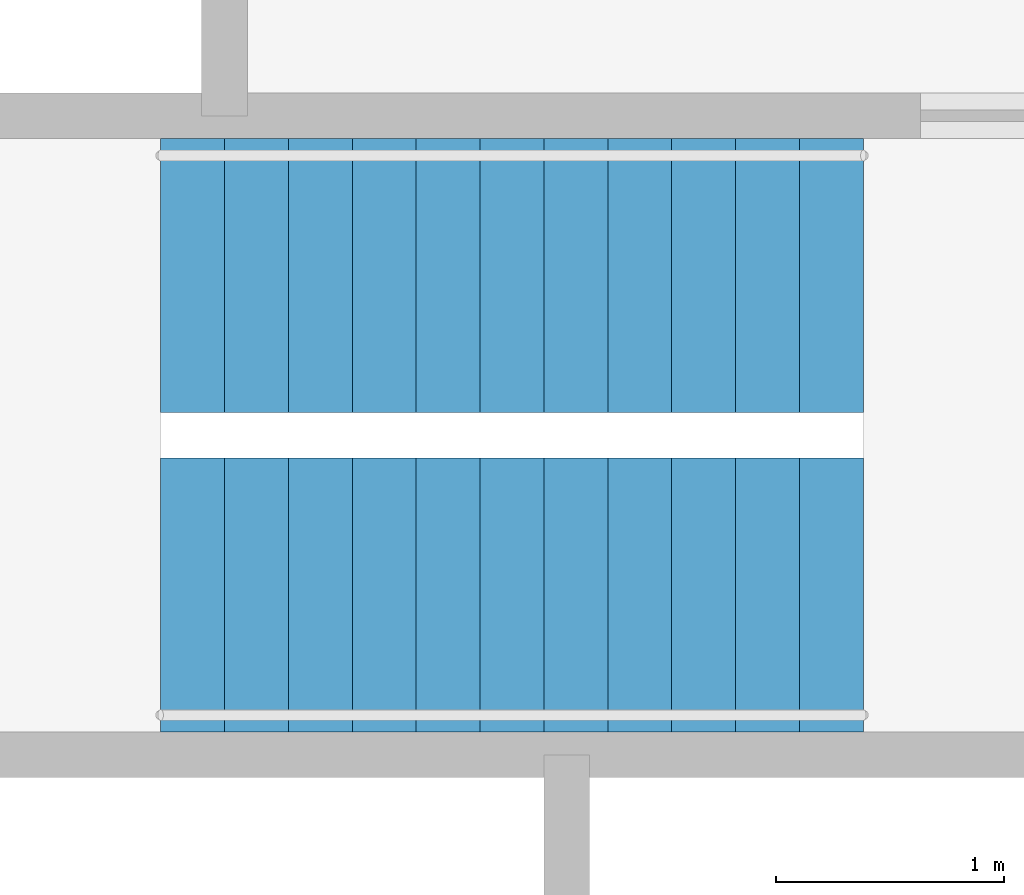
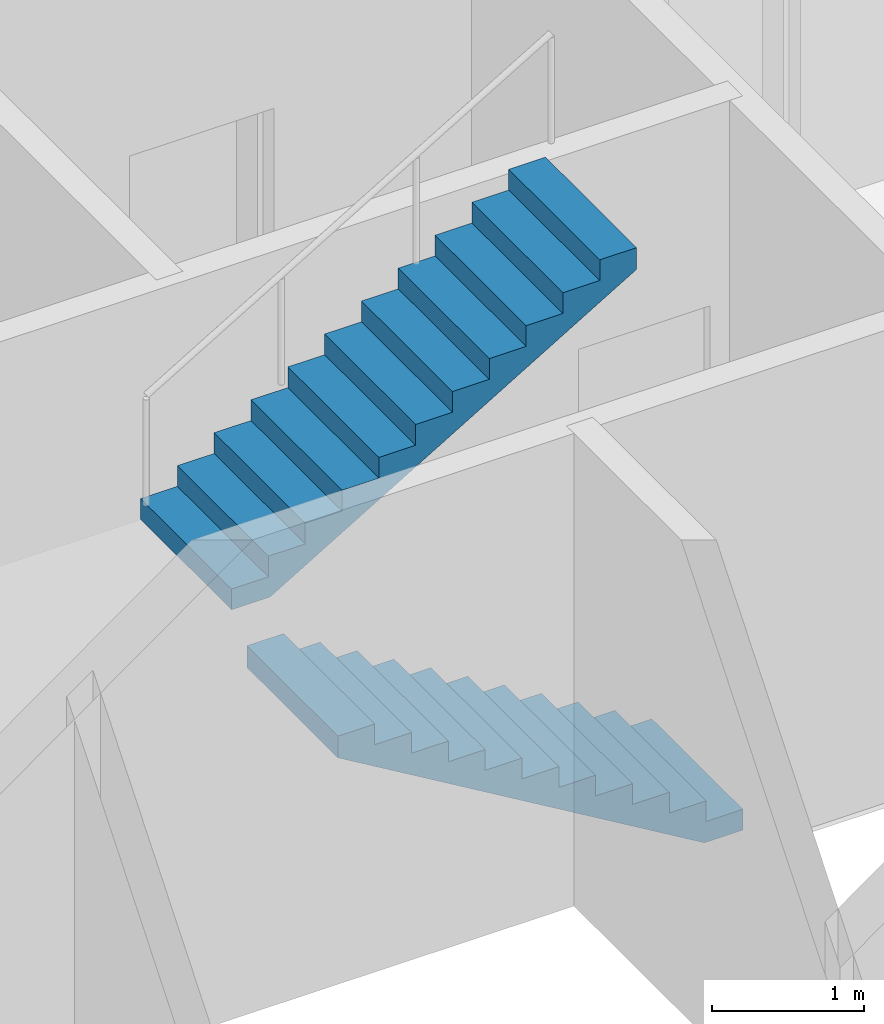
# One storey, part 12 of 16: 2 stair flights, 1 element without a shape of its own.
"""IFC4 building model written with IfcOpenShell, lengths in metres."""

from ifc_helpers import new_model, si_unit, direction, frame, origin, place, context, subcontext, project, spatial, polyline, outline, extrude, material, type_object, element, aggregate, save


model = new_model("IFC4")

# Units and contexts
model_context = context("Model", 3, precision=1e-05, world=origin(), true_north=direction((0.0, 1.0)))
body_context = subcontext(model_context, "Body", "Model", "MODEL_VIEW")
ifc_project = project(units=[si_unit("LENGTHUNIT", "METRE"), si_unit("AREAUNIT", "SQUARE_METRE"), si_unit("VOLUMEUNIT", "CUBIC_METRE"), si_unit("PLANEANGLEUNIT", "RADIAN"), si_unit("MASSUNIT", "GRAM", prefix="KILO")], contexts=[model_context])

# Site, building, storey
site_placement = place(None, origin())
site = spatial("IfcSite", under=ifc_project, at=site_placement, CompositionType="ELEMENT")
building_placement = place(site_placement, origin())
building = spatial("IfcBuilding", under=site, at=building_placement, Name="Fenwick Lantern Interchange", CompositionType="ELEMENT")
storey_placement = place(building_placement, frame((0.0, 0.0, 75.0)))
storey = spatial("IfcBuildingStorey", under=building, at=storey_placement, Name="L17", CompositionType="ELEMENT", Elevation=75.0)

# Stair, stair flights
ifc_material = material(Name="Precast concrete f'c 35 MPa", Category="concrete")
stair_type = type_object("IfcStairType", Name="EXIT STAIR 1200", PredefinedType="HALF_TURN_STAIR", material=ifc_material)
stair_placement = place(storey_placement, origin())
stair = element("IfcStair", 1, at=stair_placement, inside=storey, type_object=stair_type, Name="Exit stair ST2", PredefinedType="HALF_TURN_STAIR")
stair_flight_type = type_object("IfcStairFlightType", Name="STAIR FLIGHT 1200", PredefinedType="STRAIGHT", material=ifc_material)
stair_flight_1_placement = place(storey_placement, frame((28.199951171875, 30.699951171875, 0.0), z_axis=(0.0, 0.0, 1.0), x_axis=(-1.0, 0.0, 0.0)))
stair_flight_1 = element("IfcStairFlight", 2, at=stair_flight_1_placement, type_object=stair_flight_type, Name="ST2 flight 1", NumberOfRisers=12, NumberOfTreads=11, PredefinedType="STRAIGHT", RiserHeight=0.166666667, TreadLength=0.28, context=body_context, shape_type="SweptSolid", body=[
    extrude(outline(polyline([(0.0, 0.0), (0.0, 0.166748046875), (0.280029296875, 0.166748046875), (0.280029296875, 0.333251953125), (0.56005859375, 0.333251953125), (0.56005859375, 0.5), (0.840087890625, 0.5), (0.840087890625, 0.666748046875), (1.1201171875, 0.666748046875), (1.1201171875, 0.833251953125), (1.39990234375, 0.833251953125), (1.39990234375, 1.0), (1.679931640625, 1.0), (1.679931640625, 1.166748046875), (1.9599609375, 1.166748046875), (1.9599609375, 1.333251953125), (2.239990234375, 1.333251953125), (2.239990234375, 1.5), (2.52001953125, 1.5), (2.52001953125, 1.666748046875), (2.800048828125, 1.666748046875), (2.800048828125, 1.833251953125), (3.080078125, 1.833251953125), (3.080078125, 2.0), (3.080078125, 1.658935546875), (0.29296875, 0.0), (0.0, 0.0)])), frame((0.0, 0.60009765625, 0.0), z_axis=(0.0, -1.0, 0.0), x_axis=(1.0, 0.0, 0.0)), (0.0, 0.0, 1.0), 1.199951171875),
])
stair_flight_2_placement = place(storey_placement, frame((25.1201171875, 32.10009765625, 2.0), z_axis=(0.0, 0.0, 1.0), x_axis=(1.0, 0.0, 0.0)))
stair_flight_2 = element("IfcStairFlight", 3, at=stair_flight_2_placement, type_object=stair_flight_type, Name="ST2 flight 2", NumberOfRisers=12, NumberOfTreads=11, PredefinedType="STRAIGHT", RiserHeight=0.166666667, TreadLength=0.28, context=body_context, shape_type="SweptSolid", body=[
    extrude(outline(polyline([(0.0, 0.0), (0.0, 0.166748046875), (0.280029296875, 0.166748046875), (0.280029296875, 0.333251953125), (0.56005859375, 0.333251953125), (0.56005859375, 0.5), (0.840087890625, 0.5), (0.840087890625, 0.666748046875), (1.1201171875, 0.666748046875), (1.1201171875, 0.833251953125), (1.39990234375, 0.833251953125), (1.39990234375, 1.0), (1.679931640625, 1.0), (1.679931640625, 1.166748046875), (1.9599609375, 1.166748046875), (1.9599609375, 1.333251953125), (2.239990234375, 1.333251953125), (2.239990234375, 1.5), (2.52001953125, 1.5), (2.52001953125, 1.666748046875), (2.800048828125, 1.666748046875), (2.800048828125, 1.833251953125), (3.080078125, 1.833251953125), (3.080078125, 2.0), (3.080078125, 1.658935546875), (0.29296875, 0.0), (0.0, 0.0)])), frame((0.0, 0.60009765625, 0.0), z_axis=(0.0, -1.0, 0.0), x_axis=(1.0, 0.0, 0.0)), (0.0, 0.0, 1.0), 1.199951171875),
])
aggregate(stair, [stair_flight_1, stair_flight_2])

save(model, "model.ifc")
